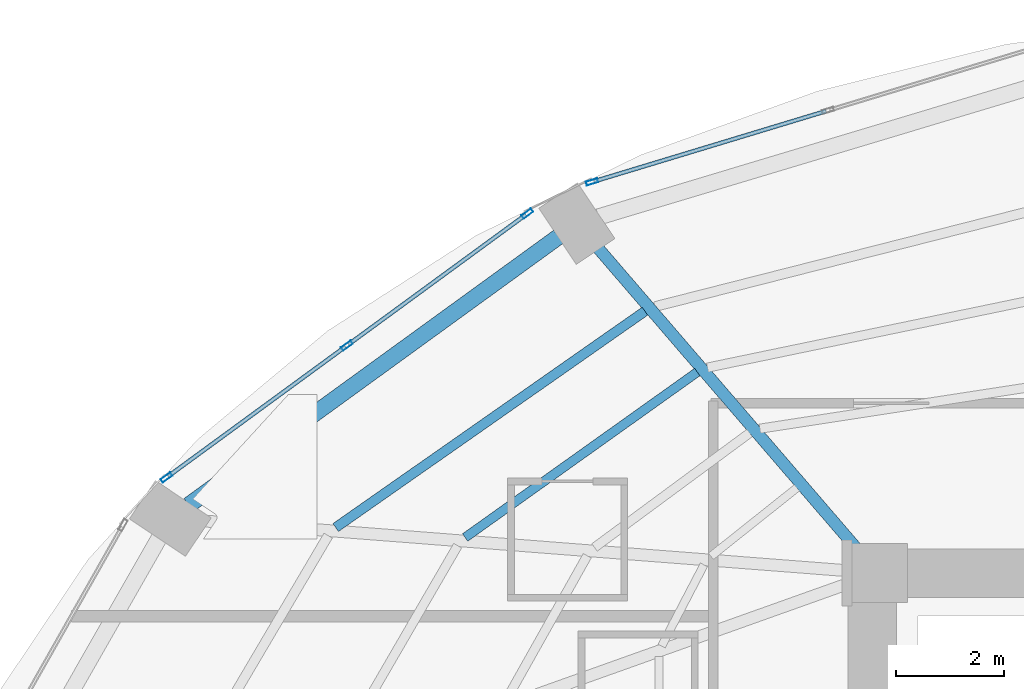
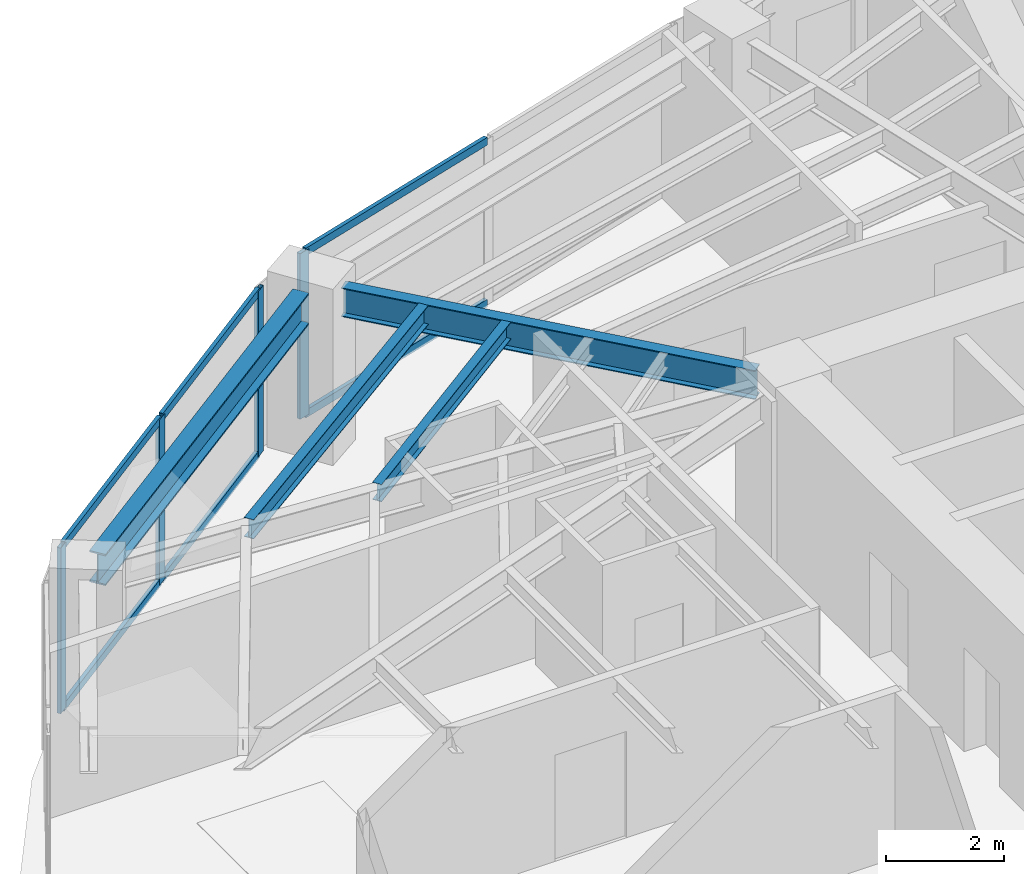
# One storey, part 13 of 25: 10 members, 4 beams, 2 elements without a shape of their own.
"""IFC4 building model written with IfcOpenShell, lengths in metres."""

from ifc_helpers import new_model, si_unit, direction, frame, origin, origin_2d, place, context, subcontext, project, spatial, hollow_rectangle, i_section, extrude, material, layer, layer_set, material_profile, profile_set, type_object, element, aggregate, save


model = new_model("IFC4")

# Units and contexts
model_context = context("Model", 3, precision=1e-05, world=origin(), true_north=direction((0.0, 1.0)))
body_context = subcontext(model_context, "Body", "Model", "MODEL_VIEW")
ifc_project = project(units=[si_unit("LENGTHUNIT", "METRE"), si_unit("AREAUNIT", "SQUARE_METRE"), si_unit("VOLUMEUNIT", "CUBIC_METRE"), si_unit("PLANEANGLEUNIT", "RADIAN"), si_unit("MASSUNIT", "GRAM", prefix="KILO")], contexts=[model_context])

# Site, building, storey
site_placement = place(None, origin())
site = spatial("IfcSite", under=ifc_project, at=site_placement, CompositionType="ELEMENT")
building_placement = place(site_placement, origin())
building = spatial("IfcBuilding", under=site, at=building_placement, Name="Lazwardi Medical Tower", CompositionType="ELEMENT")
storey_placement = place(building_placement, frame((0.0, 0.0, 32.49609375)))
storey = spatial("IfcBuildingStorey", under=building, at=storey_placement, Name="L07", CompositionType="ELEMENT", Elevation=32.49609375)

# Beams
ifc_material_1 = material(Name="Steel S355", Category="steel")
ifc_material_profile_1 = material_profile(ifc_material_1, i_section(OverallWidth=0.300048828125, OverallDepth=0.64990234375, WebThickness=0.01611328125, FlangeThickness=0.031005859375, at=origin_2d()), Name="HEB 650")
ifc_profile_set_1 = profile_set([ifc_material_profile_1], Name="Steel S355")
beam_type_1 = type_object("IfcBeamType", Name="BM-RB-Z1", PredefinedType="BEAM", material=ifc_profile_set_1)
beam_1_placement = place(storey_placement, frame((20.47900390625, 41.83740234375, 3.10302734375), z_axis=(-0.80939338516, -0.5872668457, 0.0), x_axis=(0.5872668457, -0.80939338516, 0.0)))
element("IfcBeam", 1, at=beam_1_placement, inside=storey, type_object=beam_type_1, Name="Ring beam RB-02 B10 L07", PredefinedType="BEAM", context=body_context, shape_type="SweptSolid", body=[
    extrude(i_section(OverallWidth=0.300048828125, OverallDepth=0.64990234375, WebThickness=0.01611328125, FlangeThickness=0.031005859375, at=origin_2d()), origin(), (0.0, 0.0, 1.0), 8.47412109375),
])
ifc_material_profile_2 = material_profile(ifc_material_1, i_section(OverallWidth=0.219970703125, OverallDepth=0.60009765625, WebThickness=0.011962890625, FlangeThickness=0.01904296875, at=origin_2d()), Name="IPE 600")
ifc_profile_set_2 = profile_set([ifc_material_profile_2], Name="Steel S355")
beam_type_2 = type_object("IfcBeamType", Name="BM-RG-W1", PredefinedType="BEAM", material=ifc_profile_set_2)
beam_2_placement = place(storey_placement, frame((21.197509765625, 41.644287109375, 3.1279296875), z_axis=(0.652368190463, -0.757902199543, 0.0), x_axis=(0.757902199543, 0.652368190463, 0.0)))
element("IfcBeam", 2, at=beam_2_placement, inside=storey, type_object=beam_type_2, Name="Radial girder RG-02 R10 L07", PredefinedType="BEAM", context=body_context, shape_type="SweptSolid", body=[
    extrude(i_section(OverallWidth=0.219970703125, OverallDepth=0.60009765625, WebThickness=0.011962890625, FlangeThickness=0.01904296875, at=origin_2d()), origin(), (0.0, 0.0, 1.0), 7.43994140625),
])
ifc_material_profile_3 = material_profile(ifc_material_1, i_section(OverallWidth=0.179931640625, OverallDepth=0.39990234375, WebThickness=0.008544921875, FlangeThickness=0.013427734375, at=origin_2d()), Name="IPE 400")
ifc_profile_set_3 = profile_set([ifc_material_profile_3], Name="Steel S355")
beam_type_3 = type_object("IfcBeamType", Name="BM-SJ-01", PredefinedType="JOIST", material=ifc_profile_set_3)
beam_3_placement = place(storey_placement, frame((22.08203125, 40.456298828125, 3.22802734375), z_axis=(-0.81942522483, -0.573186096231, 0.0), x_axis=(0.573186096231, -0.81942522483, 0.0)))
element("IfcBeam", 3, at=beam_3_placement, inside=storey, type_object=beam_type_3, Name="Secondary joist SJ-01 R1 B10 L07", PredefinedType="JOIST", context=body_context, shape_type="SweptSolid", body=[
    extrude(i_section(OverallWidth=0.179931640625, OverallDepth=0.39990234375, WebThickness=0.008544921875, FlangeThickness=0.013427734375, at=origin_2d()), origin(), (0.0, 0.0, 1.0), 6.999755859375),
])
ifc_material_profile_4 = material_profile(ifc_material_1, i_section(OverallWidth=0.169921875, OverallDepth=0.360107421875, WebThickness=0.008056640625, FlangeThickness=0.0126953125, at=origin_2d()), Name="IPE 360")
ifc_profile_set_4 = profile_set([ifc_material_profile_4], Name="Steel S355")
beam_type_4 = type_object("IfcBeamType", Name="BM-SJ-02", PredefinedType="JOIST", material=ifc_profile_set_4)
beam_4_placement = place(storey_placement, frame((23.05322265625, 39.327880859375, 3.247802734375), z_axis=(-0.814341377136, -0.580386183058, 0.0), x_axis=(0.580386183058, -0.814341377136, 0.0)))
element("IfcBeam", 4, at=beam_4_placement, inside=storey, type_object=beam_type_4, Name="Secondary joist SJ-02 R2 B10 L07", PredefinedType="JOIST", context=body_context, shape_type="SweptSolid", body=[
    extrude(i_section(OverallWidth=0.169921875, OverallDepth=0.360107421875, WebThickness=0.008056640625, FlangeThickness=0.0126953125, at=origin_2d()), origin(), (0.0, 0.0, 1.0), 5.28759765625),
])

# Curtain wall, member
ifc_material_2 = material(Name="Anodised bronze aluminium and solar control glazing", Category="aluminium")
ifc_layer = layer(ifc_material_2, 0.199951171875)
ifc_layer_set = layer_set([ifc_layer], Name="Anodised bronze aluminium and solar control glazing")
curtain_wall_type = type_object("IfcCurtainWallType", Name="CW-SYS-02", PredefinedType="NOTDEFINED", material=ifc_layer_set)
curtain_wall_1_placement = place(storey_placement, origin())
curtain_wall_1 = element("IfcCurtainWall", 5, at=curtain_wall_1_placement, inside=storey, type_object=curtain_wall_type, Name="L07 Unitised bronze curtain wall CW-02", PredefinedType="NOTDEFINED")
ifc_material_3 = material(Name="Anodised bronze aluminium", Category="aluminium")
ifc_material_profile_5 = material_profile(ifc_material_3, hollow_rectangle(XDim=0.074951171875, YDim=0.219970703125, WallThickness=0.00390625, at=origin_2d()), Name="ALU-MULLION 220x75x4")
ifc_profile_set_5 = profile_set([ifc_material_profile_5], Name="Anodised bronze aluminium")
member_type_1 = type_object("IfcMemberType", Name="CW-MUL-01", PredefinedType="MULLION", material=ifc_profile_set_5)
member_1_placement = place(storey_placement, frame((21.1015625, 42.853271484375, 0.0), z_axis=(0.0, 0.0, 1.0), x_axis=(0.2898956909, -0.957058247129, 0.0)))
member_1 = element("IfcMember", 6, at=member_1_placement, type_object=member_type_1, Name="CW-02 mullion 3", PredefinedType="MULLION", context=body_context, shape_type="SweptSolid", body=[
    extrude(hollow_rectangle(XDim=0.074951171875, YDim=0.219970703125, WallThickness=0.00390625, at=origin_2d()), origin(), (0.0, 0.0, 1.0), 3.427978515625),
])

# Curtain wall, members
curtain_wall_2_placement = place(storey_placement, origin())
curtain_wall_2 = element("IfcCurtainWall", 7, at=curtain_wall_2_placement, inside=storey, type_object=curtain_wall_type, Name="L07 Unitised bronze curtain wall CW-02", PredefinedType="NOTDEFINED")
member_2_placement = place(storey_placement, frame((19.9013671875, 42.26611328125, 0.0), z_axis=(0.0, 0.0, 1.0), x_axis=(0.590289307341, -0.807191757663, 0.0)))
member_2 = element("IfcMember", 8, at=member_2_placement, type_object=member_type_1, Name="CW-02 mullion 1", PredefinedType="MULLION", context=body_context, shape_type="SweptSolid", body=[
    extrude(hollow_rectangle(XDim=0.074951171875, YDim=0.219970703125, WallThickness=0.00390625, at=origin_2d()), origin(), (0.0, 0.0, 1.0), 3.427978515625),
])
member_3_placement = place(storey_placement, frame((16.5556640625, 39.8193359375, 0.0), z_axis=(0.0, 0.0, 1.0), x_axis=(0.590289307341, -0.807191757663, 0.0)))
member_3 = element("IfcMember", 9, at=member_3_placement, type_object=member_type_1, Name="CW-02 mullion 2", PredefinedType="MULLION", context=body_context, shape_type="SweptSolid", body=[
    extrude(hollow_rectangle(XDim=0.074951171875, YDim=0.219970703125, WallThickness=0.00390625, at=origin_2d()), origin(), (0.0, 0.0, 1.0), 3.427978515625),
])
member_4_placement = place(storey_placement, frame((13.209716796875, 37.37255859375, 0.0), z_axis=(0.0, 0.0, 1.0), x_axis=(0.590289307341, -0.807191757663, 0.0)))
member_4 = element("IfcMember", 10, at=member_4_placement, type_object=member_type_1, Name="CW-02 mullion 3", PredefinedType="MULLION", context=body_context, shape_type="SweptSolid", body=[
    extrude(hollow_rectangle(XDim=0.074951171875, YDim=0.219970703125, WallThickness=0.00390625, at=origin_2d()), origin(), (0.0, 0.0, 1.0), 3.427978515625),
])

# Member
ifc_material_profile_6 = material_profile(ifc_material_3, hollow_rectangle(XDim=0.074951171875, YDim=0.159912109375, WallThickness=0.00390625, at=origin_2d()), Name="ALU-TRANSOM 160x75x4")
ifc_profile_set_6 = profile_set([ifc_material_profile_6], Name="Anodised bronze aluminium")
member_type_2 = type_object("IfcMemberType", Name="CW-TRN-01", PredefinedType="USERDEFINED", material=ifc_profile_set_6)
member_5_placement = place(storey_placement, frame((25.44091796875, 44.16748046875, 0.037353515625), z_axis=(-0.957062297904, -0.289882317383, 0.0), x_axis=(0.289882317383, -0.957062297904, 0.0)))
member_5 = element("IfcMember", 11, at=member_5_placement, type_object=member_type_2, Name="CW-02 transom 2.1", ObjectType="TRANSOM", PredefinedType="USERDEFINED", context=body_context, shape_type="SweptSolid", body=[
    extrude(hollow_rectangle(XDim=0.074951171875, YDim=0.159912109375, WallThickness=0.00390625, at=origin_2d()), origin(), (0.0, 0.0, 1.0), 4.49658203125),
])

member_6_placement = place(storey_placement, frame((25.44091796875, 44.16748046875, 3.390380859375), z_axis=(-0.957062297904, -0.289882317383, 0.0), x_axis=(0.289882317383, -0.957062297904, 0.0)))
member_6 = element("IfcMember", 12, at=member_6_placement, type_object=member_type_2, Name="CW-02 transom 2.2", ObjectType="TRANSOM", PredefinedType="USERDEFINED", context=body_context, shape_type="SweptSolid", body=[
    extrude(hollow_rectangle(XDim=0.074951171875, YDim=0.159912109375, WallThickness=0.00390625, at=origin_2d()), origin(), (0.0, 0.0, 1.0), 4.49658203125),
])

aggregate(curtain_wall_1, [member_1, member_5, member_6])

member_7_placement = place(storey_placement, frame((19.87109375, 42.243896484375, 0.037353515625), z_axis=(-0.807197636578, -0.590281268128, 0.0), x_axis=(0.590281268128, -0.807197636578, 0.0)))
member_7 = element("IfcMember", 13, at=member_7_placement, type_object=member_type_2, Name="CW-02 transom 1.1", ObjectType="TRANSOM", PredefinedType="USERDEFINED", context=body_context, shape_type="SweptSolid", body=[
    extrude(hollow_rectangle(XDim=0.074951171875, YDim=0.159912109375, WallThickness=0.00390625, at=origin_2d()), origin(), (0.0, 0.0, 1.0), 4.06982421875),
])

member_8_placement = place(storey_placement, frame((19.87109375, 42.243896484375, 3.390380859375), z_axis=(-0.807197636578, -0.590281268128, 0.0), x_axis=(0.590281268128, -0.807197636578, 0.0)))
member_8 = element("IfcMember", 14, at=member_8_placement, type_object=member_type_2, Name="CW-02 transom 1.2", ObjectType="TRANSOM", PredefinedType="USERDEFINED", context=body_context, shape_type="SweptSolid", body=[
    extrude(hollow_rectangle(XDim=0.074951171875, YDim=0.159912109375, WallThickness=0.00390625, at=origin_2d()), origin(), (0.0, 0.0, 1.0), 4.06982421875),
])

member_9_placement = place(storey_placement, frame((16.525390625, 39.797119140625, 0.037353515625), z_axis=(-0.807218536774, -0.590252686472, 0.0), x_axis=(0.590252686472, -0.807218536774, 0.0)))
member_9 = element("IfcMember", 15, at=member_9_placement, type_object=member_type_2, Name="CW-02 transom 2.1", ObjectType="TRANSOM", PredefinedType="USERDEFINED", context=body_context, shape_type="SweptSolid", body=[
    extrude(hollow_rectangle(XDim=0.074951171875, YDim=0.159912109375, WallThickness=0.00390625, at=origin_2d()), origin(), (0.0, 0.0, 1.0), 4.070068359375),
])

member_10_placement = place(storey_placement, frame((16.525390625, 39.797119140625, 3.390380859375), z_axis=(-0.807218536774, -0.590252686472, 0.0), x_axis=(0.590252686472, -0.807218536774, 0.0)))
member_10 = element("IfcMember", 16, at=member_10_placement, type_object=member_type_2, Name="CW-02 transom 2.2", ObjectType="TRANSOM", PredefinedType="USERDEFINED", context=body_context, shape_type="SweptSolid", body=[
    extrude(hollow_rectangle(XDim=0.074951171875, YDim=0.159912109375, WallThickness=0.00390625, at=origin_2d()), origin(), (0.0, 0.0, 1.0), 4.070068359375),
])

aggregate(curtain_wall_2, [member_2, member_3, member_4, member_7, member_8, member_9, member_10])

save(model, "model.ifc")
